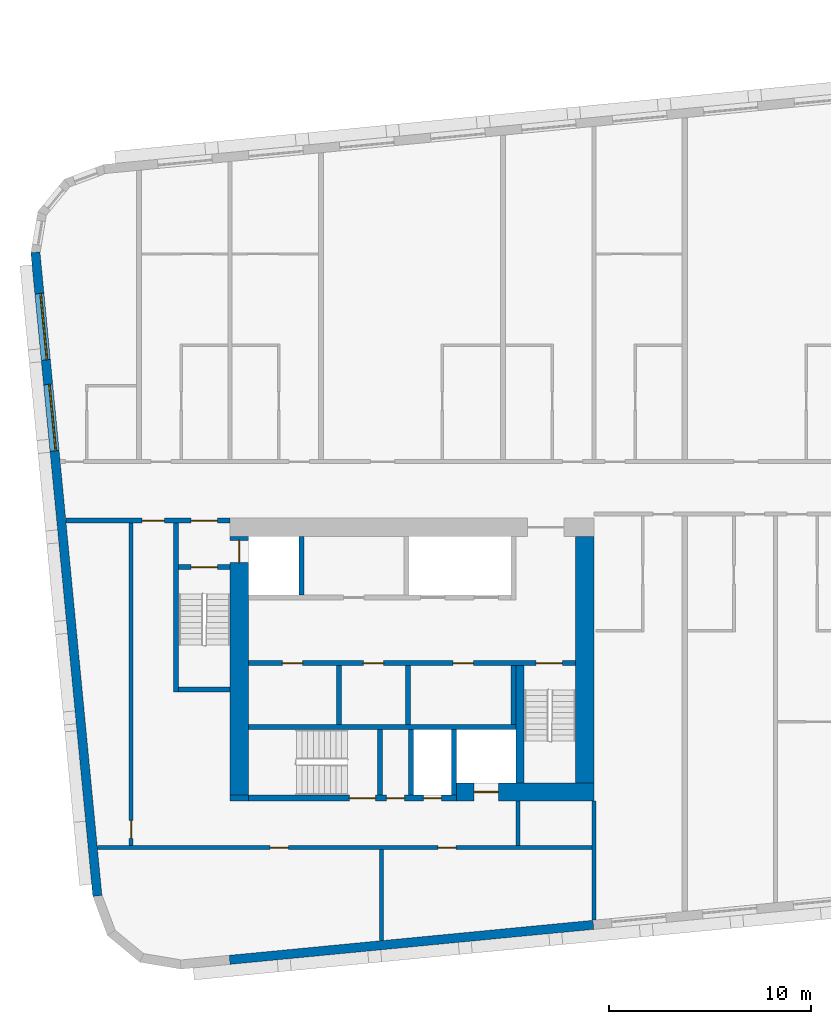
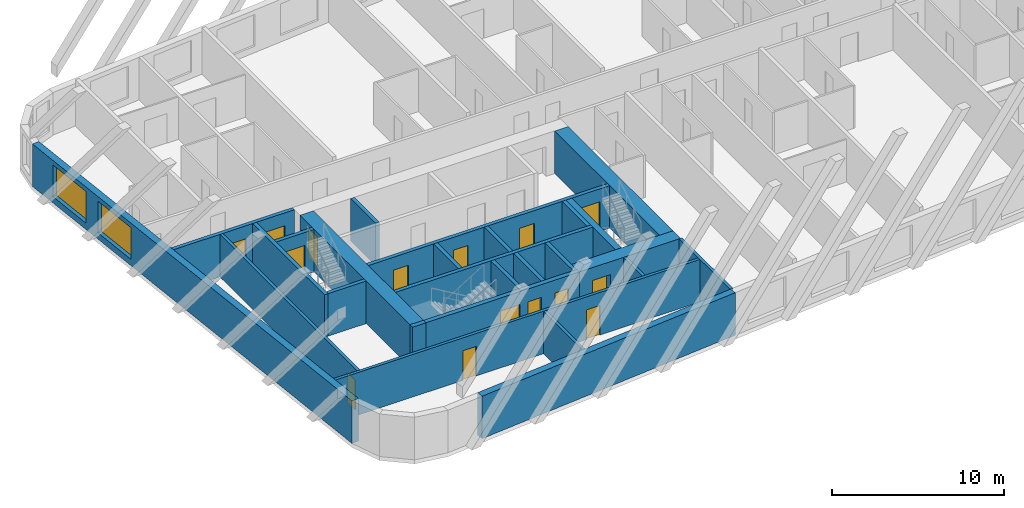
# One storey, part 2 of 13: 26 walls, 15 doors, 2 windows, 17 openings.
"""IFC4 building model written with IfcOpenShell, lengths in metres."""

from ifc_helpers import new_model, si_unit, direction, frame, frame_2d, origin, place, context, subcontext, project, spatial, rectangle, extrude, material, layer, layer_set, type_object, element, fill, save


model = new_model("IFC4")

# Units and contexts
model_context = context("Model", 3, precision=1e-05, world=origin(), true_north=direction((0.0, 1.0)))
body_context = subcontext(model_context, "Body", "Model", "MODEL_VIEW")
ifc_project = project(units=[si_unit("LENGTHUNIT", "METRE"), si_unit("AREAUNIT", "SQUARE_METRE"), si_unit("VOLUMEUNIT", "CUBIC_METRE"), si_unit("PLANEANGLEUNIT", "RADIAN"), si_unit("MASSUNIT", "GRAM", prefix="KILO")], contexts=[model_context])

# Site, building, storey
site_placement = place(None, origin())
site = spatial("IfcSite", under=ifc_project, at=site_placement, CompositionType="ELEMENT")
building_placement = place(site_placement, origin())
building = spatial("IfcBuilding", under=site, at=building_placement, Name="Kajstack Hotel Tower", CompositionType="ELEMENT")
storey_placement = place(building_placement, frame((0.0, 0.0, 298.199951171875)))
storey = spatial("IfcBuildingStorey", under=building, at=storey_placement, Name="L75", CompositionType="ELEMENT", Elevation=298.199951171875)

# Wall, opening, door
ifc_material_1 = material(Name="Concrete C60/75", Category="concrete")
ifc_layer_1 = layer(ifc_material_1, 0.89990234375)
ifc_layer_set_1 = layer_set([ifc_layer_1], Name="Core wall 900")
wall_type_1 = type_object("IfcWallType", Name="Core wall 900", PredefinedType="SHEAR", material=ifc_layer_set_1)
wall_1_placement = place(storey_placement, frame((-20.300048828125, -15.050048828125, 0.0), z_axis=(0.0, 0.0, 1.0), x_axis=(1.0, 0.0, 0.0)))
wall_1 = element("IfcWall", 1, at=wall_1_placement, inside=storey, type_object=wall_type_1, Name="Core wall W RS", PredefinedType="SHEAR", context=body_context, shape_type="SweptSolid", body=[
    extrude(rectangle(XDim=6.800048828125, YDim=0.89990234375, at=frame_2d((3.39990234375, 0.0))), origin(), (0.0, 0.0, 1.0), 3.02001953125),
])
opening_1_placement = place(wall_1_placement, frame((0.875, 0.0, 0.0)))
opening_1 = element("IfcOpeningElement", 2, at=opening_1_placement, cuts=wall_1, Name="Opening LD-SV1", PredefinedType="OPENING", context=body_context, shape_type="SweptSolid", body=[
    extrude(rectangle(XDim=1.199951171875, YDim=2.10009765625, at=frame_2d((0.60009765625, 1.050048828125))), frame((0.0, 0.4599609375, 0.0), z_axis=(0.0, -1.0, 0.0), x_axis=(1.0, 0.0, 0.0)), (0.0, 0.0, 1.0), 0.919921875),
])
ifc_material_2 = material(Name="Stainless steel", Category="steel")
door_type_1 = type_object("IfcDoorType", Name="Lift landing door 1200", OperationType="SLIDING_TO_LEFT", PredefinedType="DOOR", material=ifc_material_2)
door_1_placement = place(opening_1_placement, origin())
door_1 = element("IfcDoor", 3, at=door_1_placement, inside=storey, type_object=door_type_1, Name="Landing door SV1", OperationType="SLIDING_TO_LEFT", OverallHeight=2.10009765625, OverallWidth=1.199951171875, PredefinedType="DOOR", context=body_context, shape_type="SweptSolid", body=[
    extrude(rectangle(XDim=1.199951171875, YDim=2.10009765625, at=frame_2d((0.60009765625, 1.050048828125))), frame((0.0, 0.02490234375, 0.0), z_axis=(0.0, -1.0, 0.0), x_axis=(1.0, 0.0, 0.0)), (0.0, 0.0, 1.0), 0.050048828125),
])
fill(opening_1, door_1)

# Wall
wall_2_placement = place(storey_placement, frame((-31.5, -15.35009765625, 0.0), z_axis=(0.0, 0.0, 1.0), x_axis=(1.0, 0.0, 0.0)))
element("IfcWall", 4, at=wall_2_placement, inside=storey, type_object=wall_type_1, Name="Core wall W RSW", PredefinedType="SHEAR", context=body_context, shape_type="SweptSolid", body=[
    extrude(rectangle(XDim=0.89990234375, YDim=0.300048828125, at=frame_2d((0.449951171875, 0.0))), origin(), (0.0, 0.0, 1.0), 3.02001953125),
])

# Wall, opening, door
wall_3_placement = place(storey_placement, frame((-31.050048828125, -15.199951171875, 0.0), z_axis=(0.0, 0.0, 1.0), x_axis=(0.0, 1.0, 0.0)))
wall_3 = element("IfcWall", 5, at=wall_3_placement, inside=storey, type_object=wall_type_1, Name="Core wall W RW", PredefinedType="SHEAR", context=body_context, shape_type="SweptSolid", body=[
    extrude(rectangle(XDim=12.800048828125, YDim=0.89990234375, at=frame_2d((6.39990234375, 0.0))), origin(), (0.0, 0.0, 1.0), 3.02001953125),
])
opening_2_placement = place(wall_3_placement, frame((11.5, 0.0, 0.0)))
opening_2 = element("IfcOpeningElement", 6, at=opening_2_placement, cuts=wall_3, Name="Opening LD-FF1", PredefinedType="OPENING", context=body_context, shape_type="SweptSolid", body=[
    extrude(rectangle(XDim=1.10009765625, YDim=2.10009765625, at=frame_2d((0.550048828125, 1.050048828125))), frame((0.0, 0.4599609375, 0.0), z_axis=(0.0, -1.0, 0.0), x_axis=(1.0, 0.0, 0.0)), (0.0, 0.0, 1.0), 0.919921875),
])
door_type_2 = type_object("IfcDoorType", Name="Fire-fighting lift landing door 1100", OperationType="SLIDING_TO_LEFT", PredefinedType="DOOR", material=ifc_material_2)
door_2_placement = place(opening_2_placement, origin())
door_2 = element("IfcDoor", 7, at=door_2_placement, inside=storey, type_object=door_type_2, Name="Landing door FF1", OperationType="SLIDING_TO_RIGHT", OverallHeight=2.10009765625, OverallWidth=1.10009765625, PredefinedType="DOOR", context=body_context, shape_type="SweptSolid", body=[
    extrude(rectangle(XDim=1.10009765625, YDim=2.10009765625, at=frame_2d((0.550048828125, 1.050048828125))), frame((0.0, 0.02490234375, 0.0), z_axis=(0.0, -1.0, 0.0), x_axis=(1.0, 0.0, 0.0)), (0.0, 0.0, 1.0), 0.050048828125),
])
fill(opening_2, door_2)

# Walls
wall_4_placement = place(storey_placement, frame((-13.949951171875, -14.60009765625, 0.0), z_axis=(0.0, 0.0, 1.0), x_axis=(0.0, 1.0, 0.0)))
element("IfcWall", 8, at=wall_4_placement, inside=storey, type_object=wall_type_1, Name="Core wall W RE", PredefinedType="SHEAR", context=body_context, shape_type="SweptSolid", body=[
    extrude(rectangle(XDim=12.2001953125, YDim=0.89990234375, at=frame_2d((6.10009765625, 0.0))), origin(), (0.0, 0.0, 1.0), 3.02001953125),
])
ifc_material_3 = material(Name="Twin-frame gypsum board on steel studs, mineral wool", Category="steel")
ifc_layer_2 = layer(ifc_material_3, 0.199951171875)
ifc_layer_set_2 = layer_set([ifc_layer_2], Name="Demising wall 200")
wall_type_2 = type_object("IfcWallType", Name="Demising wall 200", PredefinedType="PARTITIONING", material=ifc_layer_set_2)
wall_5_placement = place(storey_placement, frame((-13.5, -21.39599609375, 0.0), z_axis=(0.0, 0.0, 1.0), x_axis=(0.0, 1.0, 0.0)))
element("IfcWall", 9, at=wall_5_placement, inside=storey, type_object=wall_type_2, Name="G-wall-L75-002", PredefinedType="PARTITIONING", context=body_context, shape_type="SweptSolid", body=[
    extrude(rectangle(XDim=5.89599609375, YDim=0.199951171875, at=frame_2d((2.947998046875, 0.0))), origin(), (0.0, 0.0, 1.0), 3.02001953125),
])
ifc_material_4 = material(Name="Concrete C40/50", Category="concrete")
ifc_layer_3 = layer(ifc_material_4, 0.449951171875)
ifc_layer_set_3 = layer_set([ifc_layer_3], Name="EW-CORE")
wall_type_3 = type_object("IfcWallType", Name="EW-CORE", PredefinedType="SOLIDWALL", material=ifc_layer_set_3)
wall_6_placement = place(storey_placement, frame((-31.521484375, -23.357177734375, 0.0), z_axis=(0.0, 0.0, 1.0), x_axis=(0.995396454615, 0.095843091245, 0.0)))
element("IfcWall", 10, at=wall_6_placement, inside=storey, type_object=wall_type_3, Name="E-wall-L75-04-01", PredefinedType="SOLIDWALL", context=body_context, shape_type="SweptSolid", body=[
    extrude(rectangle(XDim=18.083251953125, YDim=0.449951171875, at=frame_2d((9.04150390625, 0.0))), origin(), (0.0, 0.0, 1.0), 3.02001953125),
])

# Wall, openings, windows
ifc_material_5 = material(Name="Terracotta-faced brick masonry", Category="masonry")
ifc_layer_4 = layer(ifc_material_5, 0.449951171875)
ifc_layer_set_4 = layer_set([ifc_layer_4], Name="EW-TERRA")
wall_type_4 = type_object("IfcWallType", Name="EW-TERRA", PredefinedType="SOLIDWALL", material=ifc_layer_set_4)
wall_7_placement = place(storey_placement, frame((-41.13232421875, 11.657958984375, 0.0), z_axis=(0.0, 0.0, 1.0), x_axis=(0.095847749461, -0.995396006082, 0.0)))
wall_7 = element("IfcWall", 11, at=wall_7_placement, inside=storey, type_object=wall_type_4, Name="E-wall-L75-00-00", PredefinedType="SOLIDWALL", context=body_context, shape_type="SweptSolid", body=[
    extrude(rectangle(XDim=32.0, YDim=0.449951171875, at=frame_2d((16.0, 0.0))), origin(), (0.0, 0.0, 1.0), 3.02001953125),
])
opening_3_placement = place(wall_7_placement, frame((2.053466796875, 0.0, 0.449951171875)))
opening_3 = element("IfcOpeningElement", 12, at=opening_3_placement, cuts=wall_7, Name="Opening W2", PredefinedType="OPENING", context=body_context, shape_type="SweptSolid", body=[
    extrude(rectangle(XDim=3.300048828125, YDim=2.25, at=frame_2d((1.64990234375, 1.125))), frame((0.0, 0.23486328125, 0.0), z_axis=(0.0, -1.0, 0.0), x_axis=(1.0, 0.0, 0.0)), (0.0, 0.0, 1.0), 0.469970703125),
])
opening_4_placement = place(wall_7_placement, frame((6.57421875, 0.0, 0.449951171875)))
opening_4 = element("IfcOpeningElement", 13, at=opening_4_placement, cuts=wall_7, Name="Opening W2", PredefinedType="OPENING", context=body_context, shape_type="SweptSolid", body=[
    extrude(rectangle(XDim=3.300048828125, YDim=2.25, at=frame_2d((1.64990234375, 1.125))), frame((0.0, 0.23486328125, 0.0), z_axis=(0.0, -1.0, 0.0), x_axis=(1.0, 0.0, 0.0)), (0.0, 0.0, 1.0), 0.469970703125),
])
ifc_material_6 = material(Name="Timber-aluminium window, triple glazed", Category="wood")
window_type = type_object("IfcWindowType", Name="WG2", PartitioningType="SINGLE_PANEL", PredefinedType="WINDOW", material=ifc_material_6)
window_1_placement = place(opening_3_placement, origin())
window_1 = element("IfcWindow", 14, at=window_1_placement, inside=storey, type_object=window_type, Name="Window W2 L75-00", OverallHeight=2.25, OverallWidth=3.300048828125, PartitioningType="SINGLE_PANEL", PredefinedType="WINDOW", context=body_context, shape_type="SweptSolid", body=[
    extrude(rectangle(XDim=3.300048828125, YDim=2.25, at=frame_2d((1.64990234375, 1.125))), frame((0.0, 0.090087890625, 0.0), z_axis=(0.0, -1.0, 0.0), x_axis=(1.0, 0.0, 0.0)), (0.0, 0.0, 1.0), 0.06005859375),
])
fill(opening_3, window_1)
window_2_placement = place(opening_4_placement, origin())
window_2 = element("IfcWindow", 15, at=window_2_placement, inside=storey, type_object=window_type, Name="Window W2 L75-00", OverallHeight=2.25, OverallWidth=3.300048828125, PartitioningType="SINGLE_PANEL", PredefinedType="WINDOW", context=body_context, shape_type="SweptSolid", body=[
    extrude(rectangle(XDim=3.300048828125, YDim=2.25, at=frame_2d((1.64990234375, 1.125))), frame((0.0, 0.090087890625, 0.0), z_axis=(0.0, -1.0, 0.0), x_axis=(1.0, 0.0, 0.0)), (0.0, 0.0, 1.0), 0.06005859375),
])
fill(opening_4, window_2)

# Walls
ifc_material_7 = material(Name="Concrete block masonry", Category="masonry")
ifc_layer_5 = layer(ifc_material_7, 0.25)
ifc_layer_set_5 = layer_set([ifc_layer_5], Name="Riser partition 250")
wall_type_5 = type_object("IfcWallType", Name="Riser partition 250", PredefinedType="PARTITIONING", material=ifc_layer_set_5)
for number, where, z_axis, x_axis, name in (
    (16, (-26.10009765625, -11.699951171875, 0.0), (0.0, 0.0, 1.0), (0.0, 1.0, 0.0), "Partition W BF0"),
    (17, (-22.699951171875, -11.699951171875, 0.0), (0.0, 0.0, 1.0), (0.0, 1.0, 0.0), "Partition W BF1"),
):
    element("IfcWall", number, at=place(storey_placement, frame(where, z_axis=z_axis, x_axis=x_axis)), inside=storey, type_object=wall_type_5, Name=name, PredefinedType="PARTITIONING", context=body_context, shape_type="SweptSolid", body=[
        extrude(rectangle(XDim=2.89990234375, YDim=0.25, at=frame_2d((1.449951171875, 0.0))), origin(), (0.0, 0.0, 1.0), 3.02001953125),
    ])
wall_8_placement = place(storey_placement, frame((-22.550048828125, -15.199951171875, 0.0), z_axis=(0.0, 0.0, 1.0), x_axis=(0.0, 1.0, 0.0)))
element("IfcWall", 18, at=wall_8_placement, inside=storey, type_object=wall_type_5, Name="Partition W SZ0", PredefinedType="PARTITIONING", context=body_context, shape_type="SweptSolid", body=[
    extrude(rectangle(XDim=3.25, YDim=0.25, at=frame_2d((1.625, 0.0))), origin(), (0.0, 0.0, 1.0), 3.02001953125),
])

# Wall, openings, doors
ifc_material_8 = material(Name="Gypsum board on steel studs, mineral wool", Category="steel")
ifc_layer_6 = layer(ifc_material_8, 0.199951171875)
ifc_layer_set_6 = layer_set([ifc_layer_6], Name="Service partition 200")
wall_type_6 = type_object("IfcWallType", Name="Service partition 200", PredefinedType="PARTITIONING", material=ifc_layer_set_6)
wall_9_placement = place(storey_placement, frame((-39.627197265625, -1.625, 0.0), z_axis=(0.0, 0.0, 1.0), x_axis=(1.0, 0.0, 0.0)))
wall_9 = element("IfcWall", 19, at=wall_9_placement, inside=storey, type_object=wall_type_6, Name="Partition W SN", PredefinedType="PARTITIONING", context=body_context, shape_type="SweptSolid", body=[
    extrude(rectangle(XDim=8.127197265625, YDim=0.25, at=frame_2d((4.0634765625, 0.0))), origin(), (0.0, 0.0, 1.0), 3.02001953125),
])
opening_5_placement = place(wall_9_placement, frame((6.202392578125, 0.0, 0.0)))
opening_5 = element("IfcOpeningElement", 20, at=opening_5_placement, cuts=wall_9, Name="Opening 75W06", PredefinedType="OPENING", context=body_context, shape_type="SweptSolid", body=[
    extrude(rectangle(XDim=1.300048828125, YDim=2.10009765625, at=frame_2d((0.64990234375, 1.050048828125))), frame((0.0, 0.135009765625, 0.0), z_axis=(0.0, -1.0, 0.0), x_axis=(1.0, 0.0, 0.0)), (0.0, 0.0, 1.0), 0.27001953125),
])
opening_6_placement = place(wall_9_placement, frame((3.77734375, 0.0, 0.0)))
opening_6 = element("IfcOpeningElement", 21, at=opening_6_placement, cuts=wall_9, Name="Opening 75W08", PredefinedType="OPENING", context=body_context, shape_type="SweptSolid", body=[
    extrude(rectangle(XDim=1.10009765625, YDim=2.10009765625, at=frame_2d((0.550048828125, 1.050048828125))), frame((0.0, 0.135009765625, 0.0), z_axis=(0.0, -1.0, 0.0), x_axis=(1.0, 0.0, 0.0)), (0.0, 0.0, 1.0), 0.27001953125),
])
ifc_material_9 = material(Name="Steel leaf, fire-rated", Category="steel")
door_type_3 = type_object("IfcDoorType", Name="Fire lobby door 1300", OperationType="SINGLE_SWING_LEFT", PredefinedType="DOOR", material=ifc_material_9)
door_3_placement = place(opening_5_placement, origin())
door_3 = element("IfcDoor", 22, at=door_3_placement, inside=storey, type_object=door_type_3, Name="Door 75W06", OperationType="SINGLE_SWING_RIGHT", OverallHeight=2.10009765625, OverallWidth=1.300048828125, PredefinedType="DOOR", context=body_context, shape_type="SweptSolid", body=[
    extrude(rectangle(XDim=1.300048828125, YDim=2.10009765625, at=frame_2d((0.64990234375, 1.050048828125))), frame((0.0, 0.02490234375, 0.0), z_axis=(0.0, -1.0, 0.0), x_axis=(1.0, 0.0, 0.0)), (0.0, 0.0, 1.0), 0.050048828125),
])
fill(opening_5, door_3)
ifc_material_10 = material(Name="Timber leaf, fire-rated", Category="wood")
door_type_4 = type_object("IfcDoorType", Name="Service corridor door 1100", OperationType="SINGLE_SWING_LEFT", PredefinedType="DOOR", material=ifc_material_10)
door_4_placement = place(opening_6_placement, origin())
door_4 = element("IfcDoor", 23, at=door_4_placement, inside=storey, type_object=door_type_4, Name="Door 75W08", OperationType="SINGLE_SWING_RIGHT", OverallHeight=2.10009765625, OverallWidth=1.10009765625, PredefinedType="DOOR", context=body_context, shape_type="SweptSolid", body=[
    extrude(rectangle(XDim=1.10009765625, YDim=2.10009765625, at=frame_2d((0.550048828125, 1.050048828125))), frame((0.0, 0.02490234375, 0.0), z_axis=(0.0, -1.0, 0.0), x_axis=(1.0, 0.0, 0.0)), (0.0, 0.0, 1.0), 0.050048828125),
])
fill(opening_6, door_4)

# Wall
wall_10_placement = place(storey_placement, frame((-17.25, -17.699951171875, 0.0), z_axis=(0.0, 0.0, 1.0), x_axis=(0.0, 1.0, 0.0)))
element("IfcWall", 24, at=wall_10_placement, inside=storey, type_object=wall_type_6, Name="Partition W SCE", PredefinedType="PARTITIONING", context=body_context, shape_type="SweptSolid", body=[
    extrude(rectangle(XDim=2.199951171875, YDim=0.199951171875, at=frame_2d((1.10009765625, 0.0))), origin(), (0.0, 0.0, 1.0), 3.02001953125),
])

# Wall, opening, door
wall_11_placement = place(storey_placement, frame((-36.39990234375, -17.699951171875, 0.0), z_axis=(0.0, 0.0, 1.0), x_axis=(0.0, 1.0, 0.0)))
wall_11 = element("IfcWall", 25, at=wall_11_placement, inside=storey, type_object=wall_type_6, Name="Partition W WRE", PredefinedType="PARTITIONING", context=body_context, shape_type="SweptSolid", body=[
    extrude(rectangle(XDim=15.949951171875, YDim=0.199951171875, at=frame_2d((7.97509765625, 0.0))), origin(), (0.0, 0.0, 1.0), 3.02001953125),
])
opening_7_placement = place(wall_11_placement, frame((0.35009765625, 0.0, 0.0)))
opening_7 = element("IfcOpeningElement", 26, at=opening_7_placement, cuts=wall_11, Name="Opening 75W19", PredefinedType="OPENING", context=body_context, shape_type="SweptSolid", body=[
    extrude(rectangle(XDim=0.89990234375, YDim=2.10009765625, at=frame_2d((0.449951171875, 1.050048828125))), frame((0.0, 0.10986328125, 0.0), z_axis=(0.0, -1.0, 0.0), x_axis=(1.0, 0.0, 0.0)), (0.0, 0.0, 1.0), 0.219970703125),
])
door_type_5 = type_object("IfcDoorType", Name="Service door 900", OperationType="SINGLE_SWING_LEFT", PredefinedType="DOOR", material=ifc_material_10)
door_5_placement = place(opening_7_placement, origin())
door_5 = element("IfcDoor", 27, at=door_5_placement, inside=storey, type_object=door_type_5, Name="Door 75W19", OperationType="SINGLE_SWING_LEFT", OverallHeight=2.10009765625, OverallWidth=0.89990234375, PredefinedType="DOOR", context=body_context, shape_type="SweptSolid", body=[
    extrude(rectangle(XDim=0.89990234375, YDim=2.10009765625, at=frame_2d((0.449951171875, 1.050048828125))), frame((0.0, 0.02490234375, 0.0), z_axis=(0.0, -1.0, 0.0), x_axis=(1.0, 0.0, 0.0)), (0.0, 0.0, 1.0), 0.050048828125),
])
fill(opening_7, door_5)

# Wall, openings, doors
wall_12_placement = place(storey_placement, frame((-38.06982421875, -17.800048828125, 0.0), z_axis=(0.0, 0.0, 1.0), x_axis=(1.0, 0.0, 0.0)))
wall_12 = element("IfcWall", 28, at=wall_12_placement, inside=storey, type_object=wall_type_6, Name="Partition W SLN", PredefinedType="PARTITIONING", context=body_context, shape_type="SweptSolid", body=[
    extrude(rectangle(XDim=24.4697265625, YDim=0.199951171875, at=frame_2d((12.23486328125, 0.0))), origin(), (0.0, 0.0, 1.0), 3.02001953125),
])
opening_8_placement = place(wall_12_placement, frame((8.557373046875, 0.0, 0.0)))
opening_8 = element("IfcOpeningElement", 29, at=opening_8_placement, cuts=wall_12, Name="Opening 75W17", PredefinedType="OPENING", context=body_context, shape_type="SweptSolid", body=[
    extrude(rectangle(XDim=0.89990234375, YDim=2.10009765625, at=frame_2d((0.449951171875, 1.050048828125))), frame((0.0, 0.10986328125, 0.0), z_axis=(0.0, -1.0, 0.0), x_axis=(1.0, 0.0, 0.0)), (0.0, 0.0, 1.0), 0.219970703125),
])
opening_9_placement = place(wall_12_placement, frame((16.857421875, 0.0, 0.0)))
opening_9 = element("IfcOpeningElement", 30, at=opening_9_placement, cuts=wall_12, Name="Opening 75W18", PredefinedType="OPENING", context=body_context, shape_type="SweptSolid", body=[
    extrude(rectangle(XDim=0.89990234375, YDim=2.10009765625, at=frame_2d((0.449951171875, 1.050048828125))), frame((0.0, 0.10986328125, 0.0), z_axis=(0.0, -1.0, 0.0), x_axis=(1.0, 0.0, 0.0)), (0.0, 0.0, 1.0), 0.219970703125),
])
door_6_placement = place(opening_8_placement, origin())
door_6 = element("IfcDoor", 31, at=door_6_placement, inside=storey, type_object=door_type_5, Name="Door 75W17", OperationType="SINGLE_SWING_RIGHT", OverallHeight=2.10009765625, OverallWidth=0.89990234375, PredefinedType="DOOR", context=body_context, shape_type="SweptSolid", body=[
    extrude(rectangle(XDim=0.89990234375, YDim=2.10009765625, at=frame_2d((0.449951171875, 1.050048828125))), frame((0.0, 0.02490234375, 0.0), z_axis=(0.0, -1.0, 0.0), x_axis=(1.0, 0.0, 0.0)), (0.0, 0.0, 1.0), 0.050048828125),
])
fill(opening_8, door_6)
door_7_placement = place(opening_9_placement, origin())
door_7 = element("IfcDoor", 32, at=door_7_placement, inside=storey, type_object=door_type_5, Name="Door 75W18", OperationType="SINGLE_SWING_RIGHT", OverallHeight=2.10009765625, OverallWidth=0.89990234375, PredefinedType="DOOR", context=body_context, shape_type="SweptSolid", body=[
    extrude(rectangle(XDim=0.89990234375, YDim=2.10009765625, at=frame_2d((0.449951171875, 1.050048828125))), frame((0.0, 0.02490234375, 0.0), z_axis=(0.0, -1.0, 0.0), x_axis=(1.0, 0.0, 0.0)), (0.0, 0.0, 1.0), 0.050048828125),
])
fill(opening_9, door_7)

# Wall
wall_13_placement = place(storey_placement, frame((-24.0, -22.407958984375, 0.0), z_axis=(0.0, 0.0, 1.0), x_axis=(0.0, 1.0, 0.0)))
element("IfcWall", 33, at=wall_13_placement, inside=storey, type_object=wall_type_6, Name="Partition W SLP0", PredefinedType="PARTITIONING", context=body_context, shape_type="SweptSolid", body=[
    extrude(rectangle(XDim=4.508056640625, YDim=0.199951171875, at=frame_2d((2.25390625, 0.0))), origin(), (0.0, 0.0, 1.0), 3.02001953125),
])

# Wall, openings, doors
ifc_material_11 = material(Name="Concrete C50/60", Category="concrete")
ifc_layer_7 = layer(ifc_material_11, 0.25)
ifc_layer_set_7 = layer_set([ifc_layer_7], Name="Shaft wall 250")
wall_type_7 = type_object("IfcWallType", Name="Shaft wall 250", PredefinedType="SHEAR", material=ifc_layer_set_7)
wall_14_placement = place(storey_placement, frame((-30.60009765625, -15.35009765625, 0.0), z_axis=(0.0, 0.0, 1.0), x_axis=(1.0, 0.0, 0.0)))
wall_14 = element("IfcWall", 34, at=wall_14_placement, inside=storey, type_object=wall_type_7, Name="Core wall W RSS", PredefinedType="SHEAR", context=body_context, shape_type="SweptSolid", body=[
    extrude(rectangle(XDim=10.300048828125, YDim=0.300048828125, at=frame_2d((5.14990234375, 0.0))), origin(), (0.0, 0.0, 1.0), 3.02001953125),
])
opening_10_placement = place(wall_14_placement, frame((5.0, 0.0, 0.0)))
opening_10 = element("IfcOpeningElement", 35, at=opening_10_placement, cuts=wall_14, Name="Opening 75W10", PredefinedType="OPENING", context=body_context, shape_type="SweptSolid", body=[
    extrude(rectangle(XDim=1.300048828125, YDim=2.10009765625, at=frame_2d((0.64990234375, 1.050048828125))), frame((0.0, 0.159912109375, 0.0), z_axis=(0.0, -1.0, 0.0), x_axis=(1.0, 0.0, 0.0)), (0.0, 0.0, 1.0), 0.320068359375),
])
opening_11_placement = place(wall_14_placement, frame((6.83740234375, 0.0, 0.0)))
opening_11 = element("IfcOpeningElement", 36, at=opening_11_placement, cuts=wall_14, Name="Opening 75W11", PredefinedType="OPENING", context=body_context, shape_type="SweptSolid", body=[
    extrude(rectangle(XDim=0.89990234375, YDim=2.10009765625, at=frame_2d((0.449951171875, 1.050048828125))), frame((0.0, 0.159912109375, 0.0), z_axis=(0.0, -1.0, 0.0), x_axis=(1.0, 0.0, 0.0)), (0.0, 0.0, 1.0), 0.320068359375),
])
opening_12_placement = place(wall_14_placement, frame((8.66259765625, 0.0, 0.0)))
opening_12 = element("IfcOpeningElement", 37, at=opening_12_placement, cuts=wall_14, Name="Opening 75W12", PredefinedType="OPENING", context=body_context, shape_type="SweptSolid", body=[
    extrude(rectangle(XDim=0.89990234375, YDim=2.10009765625, at=frame_2d((0.449951171875, 1.050048828125))), frame((0.0, 0.159912109375, 0.0), z_axis=(0.0, -1.0, 0.0), x_axis=(1.0, 0.0, 0.0)), (0.0, 0.0, 1.0), 0.320068359375),
])
door_type_6 = type_object("IfcDoorType", Name="Riser door 900", OperationType="SINGLE_SWING_LEFT", PredefinedType="DOOR", material=ifc_material_9)
door_8_placement = place(opening_12_placement, origin())
door_8 = element("IfcDoor", 38, at=door_8_placement, inside=storey, type_object=door_type_6, Name="Door 75W12", OperationType="SINGLE_SWING_LEFT", OverallHeight=2.10009765625, OverallWidth=0.89990234375, PredefinedType="DOOR", context=body_context, shape_type="SweptSolid", body=[
    extrude(rectangle(XDim=0.89990234375, YDim=2.10009765625, at=frame_2d((0.449951171875, 1.050048828125))), frame((0.0, 0.02490234375, 0.0), z_axis=(0.0, -1.0, 0.0), x_axis=(1.0, 0.0, 0.0)), (0.0, 0.0, 1.0), 0.050048828125),
])
fill(opening_12, door_8)
door_9_placement = place(opening_11_placement, origin())
door_9 = element("IfcDoor", 39, at=door_9_placement, inside=storey, type_object=door_type_5, Name="Door 75W11", OperationType="SINGLE_SWING_LEFT", OverallHeight=2.10009765625, OverallWidth=0.89990234375, PredefinedType="DOOR", context=body_context, shape_type="SweptSolid", body=[
    extrude(rectangle(XDim=0.89990234375, YDim=2.10009765625, at=frame_2d((0.449951171875, 1.050048828125))), frame((0.0, 0.02490234375, 0.0), z_axis=(0.0, -1.0, 0.0), x_axis=(1.0, 0.0, 0.0)), (0.0, 0.0, 1.0), 0.050048828125),
])
fill(opening_11, door_9)
door_type_7 = type_object("IfcDoorType", Name="Stair door 1300", OperationType="SINGLE_SWING_LEFT", PredefinedType="DOOR", material=ifc_material_9)
door_10_placement = place(opening_10_placement, origin())
door_10 = element("IfcDoor", 40, at=door_10_placement, inside=storey, type_object=door_type_7, Name="Door 75W10", OperationType="SINGLE_SWING_RIGHT", OverallHeight=2.10009765625, OverallWidth=1.300048828125, PredefinedType="DOOR", context=body_context, shape_type="SweptSolid", body=[
    extrude(rectangle(XDim=1.300048828125, YDim=2.10009765625, at=frame_2d((0.64990234375, 1.050048828125))), frame((0.0, 0.02490234375, 0.0), z_axis=(0.0, -1.0, 0.0), x_axis=(1.0, 0.0, 0.0)), (0.0, 0.0, 1.0), 0.050048828125),
])
fill(opening_10, door_10)

# Wall
wall_15_placement = place(storey_placement, frame((-27.97509765625, -5.300048828125, 0.0), z_axis=(0.0, 0.0, 1.0), x_axis=(0.0, 1.0, 0.0)))
element("IfcWall", 41, at=wall_15_placement, inside=storey, type_object=wall_type_7, Name="Core wall W AP0", PredefinedType="SHEAR", context=body_context, shape_type="SweptSolid", body=[
    extrude(rectangle(XDim=2.900146484375, YDim=0.25, at=frame_2d((1.4501953125, 0.0))), origin(), (0.0, 0.0, 1.0), 3.02001953125),
])

# Wall, openings, doors
wall_16_placement = place(storey_placement, frame((-30.60009765625, -8.675048828125, 0.0), z_axis=(0.0, 0.0, 1.0), x_axis=(1.0, 0.0, 0.0)))
wall_16 = element("IfcWall", 42, at=wall_16_placement, inside=storey, type_object=wall_type_7, Name="Core wall W FB", PredefinedType="SHEAR", context=body_context, shape_type="SweptSolid", body=[
    extrude(rectangle(XDim=16.2001953125, YDim=0.25, at=frame_2d((8.10009765625, 0.0))), origin(), (0.0, 0.0, 1.0), 3.02001953125),
])
opening_13_placement = place(wall_16_placement, frame((14.25, 0.0, 0.0)))
opening_13 = element("IfcOpeningElement", 43, at=opening_13_placement, cuts=wall_16, Name="Opening 75W09", PredefinedType="OPENING", context=body_context, shape_type="SweptSolid", body=[
    extrude(rectangle(XDim=1.300048828125, YDim=2.10009765625, at=frame_2d((0.64990234375, 1.050048828125))), frame((0.0, 0.135009765625, 0.0), z_axis=(0.0, -1.0, 0.0), x_axis=(1.0, 0.0, 0.0)), (0.0, 0.0, 1.0), 0.27001953125),
])
opening_14_placement = place(wall_16_placement, frame((1.6875, 0.0, 0.0)))
opening_14 = element("IfcOpeningElement", 44, at=opening_14_placement, cuts=wall_16, Name="Opening 75W13", PredefinedType="OPENING", context=body_context, shape_type="SweptSolid", body=[
    extrude(rectangle(XDim=1.0, YDim=2.10009765625, at=frame_2d((0.5, 1.050048828125))), frame((0.0, 0.135009765625, 0.0), z_axis=(0.0, -1.0, 0.0), x_axis=(1.0, 0.0, 0.0)), (0.0, 0.0, 1.0), 0.27001953125),
])
opening_15_placement = place(wall_16_placement, frame((5.699951171875, 0.0, 0.0)))
opening_15 = element("IfcOpeningElement", 45, at=opening_15_placement, cuts=wall_16, Name="Opening 75W14", PredefinedType="OPENING", context=body_context, shape_type="SweptSolid", body=[
    extrude(rectangle(XDim=1.0, YDim=2.10009765625, at=frame_2d((0.5, 1.050048828125))), frame((0.0, 0.135009765625, 0.0), z_axis=(0.0, -1.0, 0.0), x_axis=(1.0, 0.0, 0.0)), (0.0, 0.0, 1.0), 0.27001953125),
])
opening_16_placement = place(wall_16_placement, frame((10.137451171875, 0.0, 0.0)))
opening_16 = element("IfcOpeningElement", 46, at=opening_16_placement, cuts=wall_16, Name="Opening 75W15", PredefinedType="OPENING", context=body_context, shape_type="SweptSolid", body=[
    extrude(rectangle(XDim=1.0, YDim=2.10009765625, at=frame_2d((0.5, 1.050048828125))), frame((0.0, 0.135009765625, 0.0), z_axis=(0.0, -1.0, 0.0), x_axis=(1.0, 0.0, 0.0)), (0.0, 0.0, 1.0), 0.27001953125),
])
door_type_8 = type_object("IfcDoorType", Name="Service room door 1000", OperationType="SINGLE_SWING_LEFT", PredefinedType="DOOR", material=ifc_material_10)
door_11_placement = place(opening_14_placement, origin())
door_11 = element("IfcDoor", 47, at=door_11_placement, inside=storey, type_object=door_type_8, Name="Door 75W13", OperationType="SINGLE_SWING_RIGHT", OverallHeight=2.10009765625, OverallWidth=1.0, PredefinedType="DOOR", context=body_context, shape_type="SweptSolid", body=[
    extrude(rectangle(XDim=1.0, YDim=2.10009765625, at=frame_2d((0.5, 1.050048828125))), frame((0.0, 0.02490234375, 0.0), z_axis=(0.0, -1.0, 0.0), x_axis=(1.0, 0.0, 0.0)), (0.0, 0.0, 1.0), 0.050048828125),
])
fill(opening_14, door_11)
door_12_placement = place(opening_15_placement, origin())
door_12 = element("IfcDoor", 48, at=door_12_placement, inside=storey, type_object=door_type_8, Name="Door 75W14", OperationType="SINGLE_SWING_RIGHT", OverallHeight=2.10009765625, OverallWidth=1.0, PredefinedType="DOOR", context=body_context, shape_type="SweptSolid", body=[
    extrude(rectangle(XDim=1.0, YDim=2.10009765625, at=frame_2d((0.5, 1.050048828125))), frame((0.0, 0.02490234375, 0.0), z_axis=(0.0, -1.0, 0.0), x_axis=(1.0, 0.0, 0.0)), (0.0, 0.0, 1.0), 0.050048828125),
])
fill(opening_15, door_12)
door_13_placement = place(opening_16_placement, origin())
door_13 = element("IfcDoor", 49, at=door_13_placement, inside=storey, type_object=door_type_8, Name="Door 75W15", OperationType="SINGLE_SWING_RIGHT", OverallHeight=2.10009765625, OverallWidth=1.0, PredefinedType="DOOR", context=body_context, shape_type="SweptSolid", body=[
    extrude(rectangle(XDim=1.0, YDim=2.10009765625, at=frame_2d((0.5, 1.050048828125))), frame((0.0, 0.02490234375, 0.0), z_axis=(0.0, -1.0, 0.0), x_axis=(1.0, 0.0, 0.0)), (0.0, 0.0, 1.0), 0.050048828125),
])
fill(opening_16, door_13)
door_14_placement = place(opening_13_placement, origin())
door_14 = element("IfcDoor", 50, at=door_14_placement, inside=storey, type_object=door_type_7, Name="Door 75W09", OperationType="SINGLE_SWING_RIGHT", OverallHeight=2.10009765625, OverallWidth=1.300048828125, PredefinedType="DOOR", context=body_context, shape_type="SweptSolid", body=[
    extrude(rectangle(XDim=1.300048828125, YDim=2.10009765625, at=frame_2d((0.64990234375, 1.050048828125))), frame((0.0, 0.02490234375, 0.0), z_axis=(0.0, -1.0, 0.0), x_axis=(1.0, 0.0, 0.0)), (0.0, 0.0, 1.0), 0.050048828125),
])
fill(opening_13, door_14)

# Walls
wall_17_placement = place(storey_placement, frame((-30.60009765625, -11.824951171875, 0.0), z_axis=(0.0, 0.0, 1.0), x_axis=(1.0, 0.0, 0.0)))
element("IfcWall", 51, at=wall_17_placement, inside=storey, type_object=wall_type_7, Name="Core wall W RB", PredefinedType="SHEAR", context=body_context, shape_type="SweptSolid", body=[
    extrude(rectangle(XDim=13.25, YDim=0.25, at=frame_2d((6.625, 0.0))), origin(), (0.0, 0.0, 1.0), 3.02001953125),
])
wall_18_placement = place(storey_placement, frame((-17.47509765625, -11.699951171875, 0.0), z_axis=(0.0, 0.0, 1.0), x_axis=(0.0, 1.0, 0.0)))
element("IfcWall", 52, at=wall_18_placement, inside=storey, type_object=wall_type_7, Name="Core wall W BE", PredefinedType="SHEAR", context=body_context, shape_type="SweptSolid", body=[
    extrude(rectangle(XDim=2.89990234375, YDim=0.25, at=frame_2d((1.449951171875, 0.0))), origin(), (0.0, 0.0, 1.0), 3.02001953125),
])
wall_19_placement = place(storey_placement, frame((-20.425048828125, -15.199951171875, 0.0), z_axis=(0.0, 0.0, 1.0), x_axis=(0.0, 1.0, 0.0)))
element("IfcWall", 53, at=wall_19_placement, inside=storey, type_object=wall_type_7, Name="Core wall W SVW", PredefinedType="SHEAR", context=body_context, shape_type="SweptSolid", body=[
    extrude(rectangle(XDim=3.25, YDim=0.25, at=frame_2d((1.625, 0.0))), origin(), (0.0, 0.0, 1.0), 3.02001953125),
])

# Wall, opening, door
ifc_layer_8 = layer(ifc_material_4, 0.25)
ifc_layer_set_8 = layer_set([ifc_layer_8], Name="Stair enclosure wall 250")
wall_type_8 = type_object("IfcWallType", Name="Stair enclosure wall 250", PredefinedType="SHEAR", material=ifc_layer_set_8)
wall_20_placement = place(storey_placement, frame((-34.050048828125, -3.925048828125, 0.0), z_axis=(0.0, 0.0, 1.0), x_axis=(1.0, 0.0, 0.0)))
wall_20 = element("IfcWall", 54, at=wall_20_placement, inside=storey, type_object=wall_type_8, Name="Core wall W W1N", PredefinedType="SHEAR", context=body_context, shape_type="SweptSolid", body=[
    extrude(rectangle(XDim=2.550048828125, YDim=0.25, at=frame_2d((1.27490234375, 0.0))), origin(), (0.0, 0.0, 1.0), 3.02001953125),
])
opening_17_placement = place(wall_20_placement, frame((0.625, 0.0, 0.0)))
opening_17 = element("IfcOpeningElement", 55, at=opening_17_placement, cuts=wall_20, Name="Opening 75W07", PredefinedType="OPENING", context=body_context, shape_type="SweptSolid", body=[
    extrude(rectangle(XDim=1.300048828125, YDim=2.10009765625, at=frame_2d((0.64990234375, 1.050048828125))), frame((0.0, 0.135009765625, 0.0), z_axis=(0.0, -1.0, 0.0), x_axis=(1.0, 0.0, 0.0)), (0.0, 0.0, 1.0), 0.27001953125),
])
door_15_placement = place(opening_17_placement, origin())
door_15 = element("IfcDoor", 56, at=door_15_placement, inside=storey, type_object=door_type_7, Name="Door 75W07", OperationType="SINGLE_SWING_RIGHT", OverallHeight=2.10009765625, OverallWidth=1.300048828125, PredefinedType="DOOR", context=body_context, shape_type="SweptSolid", body=[
    extrude(rectangle(XDim=1.300048828125, YDim=2.10009765625, at=frame_2d((0.64990234375, 1.050048828125))), frame((0.0, 0.02490234375, 0.0), z_axis=(0.0, -1.0, 0.0), x_axis=(1.0, 0.0, 0.0)), (0.0, 0.0, 1.0), 0.050048828125),
])
fill(opening_17, door_15)

# Walls
wall_21_placement = place(storey_placement, frame((-34.175048828125, -10.10009765625, 0.0), z_axis=(0.0, 0.0, 1.0), x_axis=(0.0, 1.0, 0.0)))
element("IfcWall", 57, at=wall_21_placement, inside=storey, type_object=wall_type_8, Name="Core wall W W1W", PredefinedType="SHEAR", context=body_context, shape_type="SweptSolid", body=[
    extrude(rectangle(XDim=8.35009765625, YDim=0.25, at=frame_2d((4.175048828125, 0.0))), origin(), (0.0, 0.0, 1.0), 3.02001953125),
])
wall_22_placement = place(storey_placement, frame((-34.050048828125, -9.97509765625, 0.0), z_axis=(0.0, 0.0, 1.0), x_axis=(1.0, 0.0, 0.0)))
element("IfcWall", 58, at=wall_22_placement, inside=storey, type_object=wall_type_8, Name="Core wall W W1S", PredefinedType="SHEAR", context=body_context, shape_type="SweptSolid", body=[
    extrude(rectangle(XDim=2.550048828125, YDim=0.25, at=frame_2d((1.27490234375, 0.0))), origin(), (0.0, 0.0, 1.0), 3.02001953125),
])
ifc_layer_9 = layer(ifc_material_11, 0.35009765625)
ifc_layer_set_9 = layer_set([ifc_layer_9], Name="Stair enclosure wall 350")
wall_type_9 = type_object("IfcWallType", Name="Stair enclosure wall 350", PredefinedType="SHEAR", material=ifc_layer_set_9)
wall_23_placement = place(storey_placement, frame((-24.074951171875, -15.199951171875, 0.0), z_axis=(0.0, 0.0, 1.0), x_axis=(0.0, 1.0, 0.0)))
element("IfcWall", 59, at=wall_23_placement, inside=storey, type_object=wall_type_9, Name="Core wall W W3E", PredefinedType="SHEAR", context=body_context, shape_type="SweptSolid", body=[
    extrude(rectangle(XDim=3.25, YDim=0.25, at=frame_2d((1.625, 0.0))), origin(), (0.0, 0.0, 1.0), 3.02001953125),
])
ifc_layer_10 = layer(ifc_material_11, 0.39990234375)
ifc_layer_set_10 = layer_set([ifc_layer_10], Name="Stair wall 400")
wall_type_10 = type_object("IfcWallType", Name="Stair wall 400", PredefinedType="SHEAR", material=ifc_layer_set_10)
wall_24_placement = place(storey_placement, frame((-17.14990234375, -14.60009765625, 0.0), z_axis=(0.0, 0.0, 1.0), x_axis=(0.0, 1.0, 0.0)))
element("IfcWall", 60, at=wall_24_placement, inside=storey, type_object=wall_type_10, Name="Core wall W WW2", PredefinedType="SHEAR", context=body_context, shape_type="SweptSolid", body=[
    extrude(rectangle(XDim=5.800048828125, YDim=0.39990234375, at=frame_2d((2.89990234375, 0.0))), origin(), (0.0, 0.0, 1.0), 3.02001953125),
])

save(model, "model.ifc")
